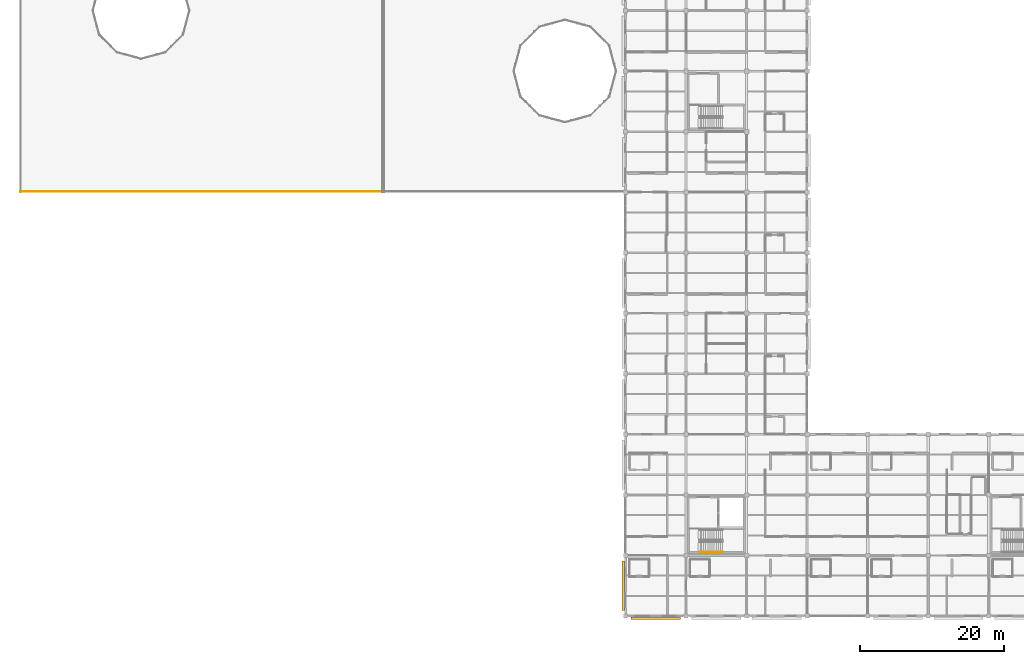
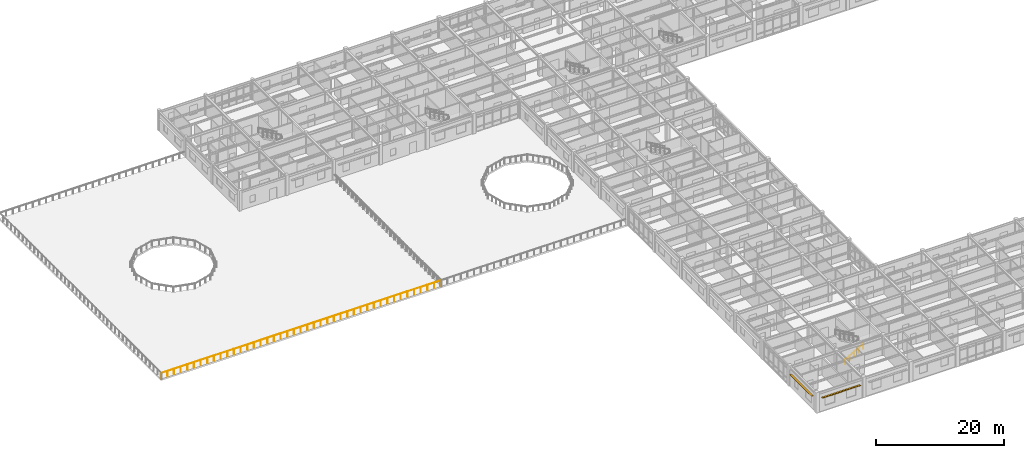
# One storey, part 72 of 86: 2 railings, 2 shading devices.
"""IFC4 building model written with IfcOpenShell, lengths in metres."""

import ifcopenshell
import ifcopenshell.guid

model = None  # the IFC model being written
_history = None  # IfcOwnerHistory: only IFC2X3 demands one
_inside = {}  # id of a spatial element -> (the spatial element, [elements in it])
_under = {}  # id of a project, library or spatial element -> (it, [spatial elements below it])
_declared = {}  # id of a project -> (the project, [libraries it declares])
_typed = {}  # id of a type object -> (the type object, [elements of that type])
_made_of = {}  # id of a material, layer set ... -> (it, [elements and type objects made of it])


def new_model(schema):
    """Start an empty IFC model of exactly this schema.

    Asked for "IFC4X3", IfcOpenShell would pick the latest addendum, in which some entities
    have other attributes; the version numbers below select the first issue.
    IFC2X3 requires an IfcOwnerHistory on every rooted entity: one is made here for all.
    """
    global model, _history
    if schema == "IFC4X3":
        model = ifcopenshell.file(schema_version=(4, 3, 0, 0))
    else:
        model = ifcopenshell.file(schema=schema)
    _inside.clear()
    _under.clear()
    _declared.clear()
    _typed.clear()
    _made_of.clear()
    _history = None
    if model.schema == "IFC2X3":
        org = make("IfcOrganization", Name="unknown")
        user = make(
            "IfcPersonAndOrganization",
            ThePerson=make("IfcPerson", FamilyName="unknown"),
            TheOrganization=org,
        )
        app = make(
            "IfcApplication",
            ApplicationDeveloper=org,
            Version="unknown",
            ApplicationFullName="unknown",
            ApplicationIdentifier="unknown",
        )
        _history = make(
            "IfcOwnerHistory",
            OwningUser=user,
            OwningApplication=app,
            ChangeAction="ADDED",
            CreationDate=0,
        )
    return model


def make(cls, **values):
    """One entity of the class cls with the attributes given. An attribute that is None is left unset."""
    return model.create_entity(
        cls, **{name: value for name, value in values.items() if value is not None}
    )


def rooted(cls, **values):
    """An entity with a GlobalId (a new one), such as an element, a storey or a relation."""
    return make(cls, GlobalId=ifcopenshell.guid.new(), OwnerHistory=_history, **values)


def si_unit(unit_type, name, prefix=None):
    """IfcSIUnit, for example si_unit("LENGTHUNIT", "METRE", prefix="MILLI")."""
    return make("IfcSIUnit", UnitType=unit_type, Prefix=prefix, Name=name)


def assignment(units):
    """IfcUnitAssignment: the units of a project."""
    return None if units is None else make("IfcUnitAssignment", Units=units)


def point(xyz):
    """IfcCartesianPoint."""
    return None if xyz is None else make("IfcCartesianPoint", Coordinates=xyz)


def direction(xyz):
    """IfcDirection."""
    return None if xyz is None else make("IfcDirection", DirectionRatios=xyz)


def frame(location, z_axis=None, x_axis=None):
    """IfcAxis2Placement3D, a coordinate frame: its origin and axes. An axis left out is left unset."""
    return make(
        "IfcAxis2Placement3D",
        Location=point(location),
        Axis=direction(z_axis),
        RefDirection=direction(x_axis),
    )


def frame_2d(location, x_axis=None):
    """IfcAxis2Placement2D, a coordinate frame in the plane: its origin and x axis."""
    return make(
        "IfcAxis2Placement2D", Location=point(location), RefDirection=direction(x_axis)
    )


def origin():
    """The frame at (0, 0, 0) with its axes left unset."""
    return frame((0.0, 0.0, 0.0))


def origin_2d():
    """The frame at (0, 0) in the plane with its x axis left unset."""
    return frame_2d((0.0, 0.0))


def place(relative_to, where):
    """IfcLocalPlacement: puts the frame where relative to a parent placement (None: the world)."""
    return make(
        "IfcLocalPlacement", PlacementRelTo=relative_to, RelativePlacement=where
    )


def context(
    kind, dimensions, precision=None, world=None, true_north=None, identifier=None
):
    """IfcGeometricRepresentationContext, for example the 3D "Model" context."""
    return make(
        "IfcGeometricRepresentationContext",
        ContextIdentifier=identifier,
        ContextType=kind,
        CoordinateSpaceDimension=dimensions,
        Precision=precision,
        WorldCoordinateSystem=world,
        TrueNorth=true_north,
    )


def subcontext(parent, identifier, kind, view, scale=None):
    """IfcGeometricRepresentationSubContext, for example "Body" below "Model"."""
    return make(
        "IfcGeometricRepresentationSubContext",
        ContextIdentifier=identifier,
        ContextType=kind,
        ParentContext=parent,
        TargetScale=scale,
        TargetView=view,
    )


def project(units=None, contexts=None):
    """IfcProject with its units and contexts."""
    return rooted(
        "IfcProject",
        Name="project",
        RepresentationContexts=contexts,
        UnitsInContext=assignment(units),
    )


def spatial(cls, under=None, at=None, **own):
    """A site, building, storey or space (cls), placed at a placement, below another one or the project."""
    s = rooted(cls, ObjectPlacement=at, **own)
    if under is not None:
        _under.setdefault(under.id(), (under, []))[1].append(s)
    return s


def profile(cls, at=None, kind="AREA", **sizes):
    """A parametric profile (cls). Its sizes go by their IFC names, for example OverallWidth=200.0."""
    return make(cls, ProfileType=kind, Position=at, **sizes)


def rectangle(**sizes):
    """IfcRectangleProfileDef."""
    return profile("IfcRectangleProfileDef", **sizes)


def circle(**sizes):
    """IfcCircleProfileDef."""
    return profile("IfcCircleProfileDef", **sizes)


def extrude(swept, where, along, depth):
    """IfcExtrudedAreaSolid: the profile swept, set in the frame where, extruded along a direction by depth."""
    return make(
        "IfcExtrudedAreaSolid",
        SweptArea=swept,
        Position=where,
        ExtrudedDirection=direction(along),
        Depth=depth,
    )


def shape(context_of_items, identifier, shape_type, items):
    """IfcShapeRepresentation: the items that make up one representation, for example the "Body"."""
    return make(
        "IfcShapeRepresentation",
        ContextOfItems=context_of_items,
        RepresentationIdentifier=identifier,
        RepresentationType=shape_type,
        Items=items,
    )


def material(Name=None, Category=None):
    """IfcMaterial."""
    return make("IfcMaterial", Name=Name, Category=Category)


def material_profile(
    of_material, cross_section, Name=None, Category=None, Priority=None
):
    """IfcMaterialProfile: a cross section and its material."""
    return make(
        "IfcMaterialProfile",
        Name=Name,
        Material=of_material,
        Profile=cross_section,
        Priority=Priority,
        Category=Category,
    )


def profile_set(profiles, Name=None, composite=None):
    """IfcMaterialProfileSet."""
    return make(
        "IfcMaterialProfileSet",
        Name=Name,
        MaterialProfiles=profiles,
        CompositeProfile=composite,
    )


def made_of(thing, what):
    """Note that an element or type object is made of a material, layer set ...; save() writes the relation."""
    if what is not None:
        _made_of.setdefault(what.id(), (what, []))[1].append(thing)
    return thing


def type_object(cls, material=None, **own):
    """A type object (cls), such as IfcWallType, which elements share."""
    return made_of(rooted(cls, **own), material)


def element(
    cls,
    number,
    at=None,
    inside=None,
    cuts=None,
    type_object=None,
    material=None,
    context=None,
    identifier="Body",
    shape_type=None,
    held_by="IfcProductDefinitionShape",
    body=None,
    shapes=None,
    **own,
):
    """One element of the class cls, such as IfcWall. Its Tag is "e" and its number.

    at: its placement. inside: the storey or other place that contains it. cuts: it is an
    opening in that element (IfcRelVoidsElement). A single representation is given by context,
    identifier, shape_type and body (its items); several are given by shapes. held_by: the class
    of the entity that holds the representations. save() writes the other relations.
    """
    e = rooted(cls, Tag="e%d" % number, ObjectPlacement=at, **own)
    if body is not None:
        shapes = [shape(context, identifier, shape_type, body)]
    if shapes is not None:
        e.Representation = make(held_by, Representations=shapes)
    if inside is not None:
        _inside.setdefault(inside.id(), (inside, []))[1].append(e)
    if cuts is not None:
        rooted(
            "IfcRelVoidsElement", RelatingBuildingElement=cuts, RelatedOpeningElement=e
        )
    if type_object is not None:
        _typed.setdefault(type_object.id(), (type_object, []))[1].append(e)
    return made_of(e, material)


def aggregate(whole, parts):
    """IfcRelAggregates: a whole, such as a stair, and the parts it consists of."""
    return rooted("IfcRelAggregates", RelatingObject=whole, RelatedObjects=parts)


def save(model, path):
    """Write the relations noted so far, then the file.

    IfcRelAggregates (storeys below a building ...), IfcRelContainedInSpatialStructure (elements
    in a storey), IfcRelDefinesByType, IfcRelAssociatesMaterial and IfcRelDeclares: one each for
    every whole, place, type object, material and project.
    """
    for whole, parts in _under.values():
        aggregate(whole, parts)
    for where, things in _inside.values():
        rooted(
            "IfcRelContainedInSpatialStructure",
            RelatedElements=things,
            RelatingStructure=where,
        )
    for kind, things in _typed.values():
        rooted("IfcRelDefinesByType", RelatedObjects=things, RelatingType=kind)
    for what, things in _made_of.values():
        rooted("IfcRelAssociatesMaterial", RelatedObjects=things, RelatingMaterial=what)
    for by, libraries in _declared.values():
        rooted("IfcRelDeclares", RelatingContext=by, RelatedDefinitions=libraries)
    model.write(path)


model = new_model("IFC4")

# Units and contexts
model_context = context("Model", 3, precision=1e-05, world=origin(), true_north=direction((0.0, 1.0)))
body_context = subcontext(model_context, "Body", "Model", "MODEL_VIEW")
ifc_project = project(units=[si_unit("LENGTHUNIT", "METRE"), si_unit("AREAUNIT", "SQUARE_METRE"), si_unit("VOLUMEUNIT", "CUBIC_METRE"), si_unit("PLANEANGLEUNIT", "RADIAN"), si_unit("MASSUNIT", "GRAM", prefix="KILO")], contexts=[model_context])

# Site, building, storey
site_placement = place(None, origin())
site = spatial("IfcSite", under=ifc_project, at=site_placement, CompositionType="ELEMENT")
building_placement = place(site_placement, origin())
building = spatial("IfcBuilding", under=site, at=building_placement, Name="Bramfleet General Hospital", CompositionType="ELEMENT")
storey_placement = place(building_placement, frame((0.0, 0.0, 18.60009765625)))
storey = spatial("IfcBuildingStorey", under=building, at=storey_placement, Name="L04", CompositionType="ELEMENT", Elevation=18.60009765625)

# Railings
ifc_material_1 = material(Name="Stainless steel 1.4401 safety balustrade", Category="steel")
railing_type_1 = type_object("IfcRailingType", Name="RAIL-EXT-GUARD", PredefinedType="GUARDRAIL", material=ifc_material_1)
railing_1_placement = place(storey_placement, frame((58.7900390625, 58.89990234375, 0.0)))
element("IfcRailing", 1, at=railing_1_placement, inside=storey, type_object=railing_type_1, Name="L04 Safety Guard Rail 156", PredefinedType="GUARDRAIL", context=body_context, shape_type="SweptSolid", body=[
    extrude(circle(Radius=0.02392578125, at=origin_2d()), frame((0.0, 0.0, 1.076171875), z_axis=(-1.0, 0.0, 0.0), x_axis=(0.0, -1.0, 0.0)), (0.0, 0.0, 1.0), 50.380126953125),
    extrude(circle(Radius=0.02099609375, at=origin_2d()), origin(), (0.0, 0.0, 1.0), 1.052001953125),
    extrude(circle(Radius=0.02099609375, at=origin_2d()), frame((-1.199462890625, 0.0, 0.0)), (0.0, 0.0, 1.0), 1.052001953125),
    extrude(circle(Radius=0.02099609375, at=origin_2d()), frame((-2.399169921875, 0.0, 0.0)), (0.0, 0.0, 1.0), 1.052001953125),
    extrude(circle(Radius=0.02099609375, at=origin_2d()), frame((-3.5986328125, 0.0, 0.0)), (0.0, 0.0, 1.0), 1.052001953125),
    extrude(circle(Radius=0.02099609375, at=origin_2d()), frame((-4.798095703125, 0.0, 0.0)), (0.0, 0.0, 1.0), 1.052001953125),
    extrude(circle(Radius=0.02099609375, at=origin_2d()), frame((-5.99755859375, 0.0, 0.0)), (0.0, 0.0, 1.0), 1.052001953125),
    extrude(circle(Radius=0.02099609375, at=origin_2d()), frame((-7.197265625, 0.0, 0.0)), (0.0, 0.0, 1.0), 1.052001953125),
    extrude(circle(Radius=0.02099609375, at=origin_2d()), frame((-8.396728515625, 0.0, 0.0)), (0.0, 0.0, 1.0), 1.052001953125),
    extrude(circle(Radius=0.02099609375, at=origin_2d()), frame((-9.59619140625, 0.0, 0.0)), (0.0, 0.0, 1.0), 1.052001953125),
    extrude(circle(Radius=0.02099609375, at=origin_2d()), frame((-10.795654296875, 0.0, 0.0)), (0.0, 0.0, 1.0), 1.052001953125),
    extrude(circle(Radius=0.02099609375, at=origin_2d()), frame((-11.995361328125, 0.0, 0.0)), (0.0, 0.0, 1.0), 1.052001953125),
    extrude(circle(Radius=0.02099609375, at=origin_2d()), frame((-13.19482421875, 0.0, 0.0)), (0.0, 0.0, 1.0), 1.052001953125),
    extrude(circle(Radius=0.02099609375, at=origin_2d()), frame((-14.394287109375, 0.0, 0.0)), (0.0, 0.0, 1.0), 1.052001953125),
    extrude(circle(Radius=0.02099609375, at=origin_2d()), frame((-15.59375, 0.0, 0.0)), (0.0, 0.0, 1.0), 1.052001953125),
    extrude(circle(Radius=0.02099609375, at=origin_2d()), frame((-16.79345703125, 0.0, 0.0)), (0.0, 0.0, 1.0), 1.052001953125),
    extrude(circle(Radius=0.02099609375, at=origin_2d()), frame((-17.992919921875, 0.0, 0.0)), (0.0, 0.0, 1.0), 1.052001953125),
    extrude(circle(Radius=0.02099609375, at=origin_2d()), frame((-19.1923828125, 0.0, 0.0)), (0.0, 0.0, 1.0), 1.052001953125),
    extrude(circle(Radius=0.02099609375, at=origin_2d()), frame((-20.391845703125, 0.0, 0.0)), (0.0, 0.0, 1.0), 1.052001953125),
    extrude(circle(Radius=0.02099609375, at=origin_2d()), frame((-21.591552734375, 0.0, 0.0)), (0.0, 0.0, 1.0), 1.052001953125),
    extrude(circle(Radius=0.02099609375, at=origin_2d()), frame((-22.791015625, 0.0, 0.0)), (0.0, 0.0, 1.0), 1.052001953125),
    extrude(circle(Radius=0.02099609375, at=origin_2d()), frame((-23.990478515625, 0.0, 0.0)), (0.0, 0.0, 1.0), 1.052001953125),
    extrude(circle(Radius=0.02099609375, at=origin_2d()), frame((-25.18994140625, 0.0, 0.0)), (0.0, 0.0, 1.0), 1.052001953125),
    extrude(circle(Radius=0.02099609375, at=origin_2d()), frame((-26.3896484375, 0.0, 0.0)), (0.0, 0.0, 1.0), 1.052001953125),
    extrude(circle(Radius=0.02099609375, at=origin_2d()), frame((-27.589111328125, 0.0, 0.0)), (0.0, 0.0, 1.0), 1.052001953125),
    extrude(circle(Radius=0.02099609375, at=origin_2d()), frame((-28.78857421875, 0.0, 0.0)), (0.0, 0.0, 1.0), 1.052001953125),
    extrude(circle(Radius=0.02099609375, at=origin_2d()), frame((-29.98828125, 0.0, 0.0)), (0.0, 0.0, 1.0), 1.052001953125),
    extrude(circle(Radius=0.02099609375, at=origin_2d()), frame((-31.187744140625, 0.0, 0.0)), (0.0, 0.0, 1.0), 1.052001953125),
    extrude(circle(Radius=0.02099609375, at=origin_2d()), frame((-32.38720703125, 0.0, 0.0)), (0.0, 0.0, 1.0), 1.052001953125),
    extrude(circle(Radius=0.02099609375, at=origin_2d()), frame((-33.586669921875, 0.0, 0.0)), (0.0, 0.0, 1.0), 1.052001953125),
    extrude(circle(Radius=0.02099609375, at=origin_2d()), frame((-34.786376953125, 0.0, 0.0)), (0.0, 0.0, 1.0), 1.052001953125),
    extrude(circle(Radius=0.02099609375, at=origin_2d()), frame((-35.98583984375, 0.0, 0.0)), (0.0, 0.0, 1.0), 1.052001953125),
    extrude(circle(Radius=0.02099609375, at=origin_2d()), frame((-37.185302734375, 0.0, 0.0)), (0.0, 0.0, 1.0), 1.052001953125),
    extrude(circle(Radius=0.02099609375, at=origin_2d()), frame((-38.384765625, 0.0, 0.0)), (0.0, 0.0, 1.0), 1.052001953125),
    extrude(circle(Radius=0.02099609375, at=origin_2d()), frame((-39.58447265625, 0.0, 0.0)), (0.0, 0.0, 1.0), 1.052001953125),
    extrude(circle(Radius=0.02099609375, at=origin_2d()), frame((-40.783935546875, 0.0, 0.0)), (0.0, 0.0, 1.0), 1.052001953125),
    extrude(circle(Radius=0.02099609375, at=origin_2d()), frame((-41.9833984375, 0.0, 0.0)), (0.0, 0.0, 1.0), 1.052001953125),
    extrude(circle(Radius=0.02099609375, at=origin_2d()), frame((-43.182861328125, 0.0, 0.0)), (0.0, 0.0, 1.0), 1.052001953125),
    extrude(circle(Radius=0.02099609375, at=origin_2d()), frame((-44.382568359375, 0.0, 0.0)), (0.0, 0.0, 1.0), 1.052001953125),
    extrude(circle(Radius=0.02099609375, at=origin_2d()), frame((-45.58203125, 0.0, 0.0)), (0.0, 0.0, 1.0), 1.052001953125),
    extrude(circle(Radius=0.02099609375, at=origin_2d()), frame((-46.781494140625, 0.0, 0.0)), (0.0, 0.0, 1.0), 1.052001953125),
    extrude(circle(Radius=0.02099609375, at=origin_2d()), frame((-47.98095703125, 0.0, 0.0)), (0.0, 0.0, 1.0), 1.052001953125),
    extrude(circle(Radius=0.02099609375, at=origin_2d()), frame((-49.1806640625, 0.0, 0.0)), (0.0, 0.0, 1.0), 1.052001953125),
    extrude(circle(Radius=0.02099609375, at=origin_2d()), frame((-50.380126953125, 0.0, 0.0)), (0.0, 0.0, 1.0), 1.052001953125),
])
ifc_material_2 = material(Name="Stainless steel 1.4301 stair handrail", Category="steel")
railing_type_2 = type_object("IfcRailingType", Name="RAIL-ST-HND", PredefinedType="HANDRAIL", material=ifc_material_2)
railing_2_placement = place(storey_placement, frame((102.639892578125, 8.8701171875, 0.162353515625)))
element("IfcRailing", 2, at=railing_2_placement, inside=storey, type_object=railing_type_2, Name="L04 ST-C3 stair handrail 1", PredefinedType="HANDRAIL", context=body_context, shape_type="SweptSolid", body=[
    extrude(circle(Radius=0.02392578125, at=origin_2d()), frame((0.0, 0.0, 0.8759765625), z_axis=(0.875898504189, 0.0, 0.482495399314), x_axis=(0.0, 1.0, 0.0)), (0.0, 0.0, 1.0), 3.704833984375),
    extrude(circle(Radius=0.02099609375, at=origin_2d()), origin(), (0.0, 0.0, 1.0), 0.851806640625),
    extrude(circle(Radius=0.02099609375, at=origin_2d()), frame((0.811279296875, 0.0, 0.44677734375)), (0.0, 0.0, 1.0), 0.851806640625),
    extrude(circle(Radius=0.02099609375, at=origin_2d()), frame((1.62255859375, 0.0, 0.893798828125)), (0.0, 0.0, 1.0), 0.851806640625),
    extrude(circle(Radius=0.02099609375, at=origin_2d()), frame((2.433837890625, 0.0, 1.3408203125)), (0.0, 0.0, 1.0), 0.851806640625),
    extrude(circle(Radius=0.02099609375, at=origin_2d()), frame((3.2451171875, 0.0, 1.78759765625)), (0.0, 0.0, 1.0), 0.851806640625),
])

# Shading devices
ifc_material_3 = material(Name="Anodised aluminium EN AW-6063", Category="aluminium")
ifc_material_profile = material_profile(ifc_material_3, rectangle(XDim=0.050048828125, YDim=0.35009765625, at=origin_2d()), Name="ALU LOUVRE 350x50")
ifc_profile_set = profile_set([ifc_material_profile], Name="Anodised aluminium EN AW-6063")
shading_device_type = type_object("IfcShadingDeviceType", Name="SHD-LVR-350", PredefinedType="USERDEFINED", material=ifc_profile_set)
shading_device_1_placement = place(storey_placement, frame((100.02490234375, -0.327392578125, 2.669921875), z_axis=(-1.0, 0.0, 0.0), x_axis=(0.0, 0.0, 1.0)))
element("IfcShadingDevice", 3, at=shading_device_1_placement, inside=storey, type_object=shading_device_type, Name="L04 Solar Shading Louvre 29", ObjectType="Louvre", PredefinedType="USERDEFINED", context=body_context, shape_type="SweptSolid", body=[
    extrude(rectangle(XDim=0.050048828125, YDim=0.35009765625, at=origin_2d()), origin(), (0.0, 0.0, 1.0), 6.849853515625),
])
shading_device_2_placement = place(storey_placement, frame((92.08251953125, 0.77490234375, 2.669921875), z_axis=(0.0, 1.0, 0.0), x_axis=(0.0, 0.0, 1.0)))
element("IfcShadingDevice", 4, at=shading_device_2_placement, inside=storey, type_object=shading_device_type, Name="L04 Solar Shading Louvre 30", ObjectType="Louvre", PredefinedType="USERDEFINED", context=body_context, shape_type="SweptSolid", body=[
    extrude(rectangle(XDim=0.050048828125, YDim=0.35009765625, at=origin_2d()), origin(), (0.0, 0.0, 1.0), 6.85009765625),
])

save(model, "model.ifc")
